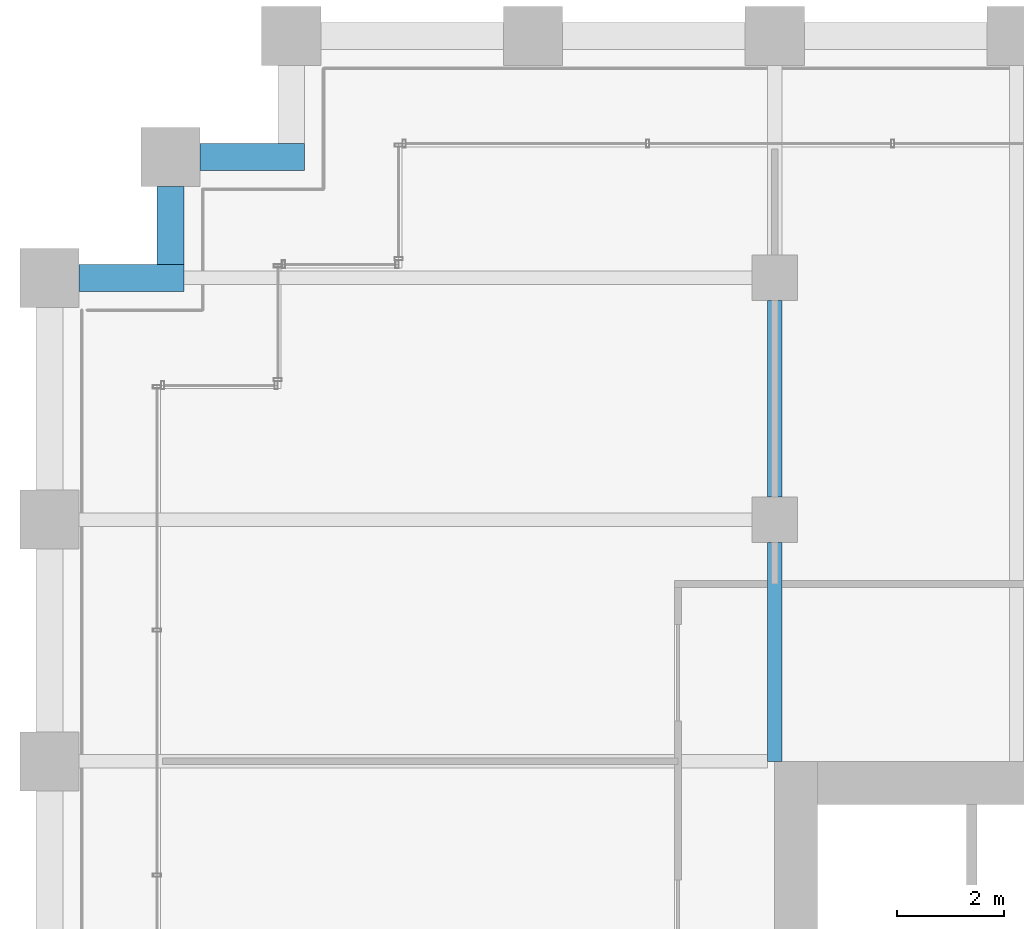
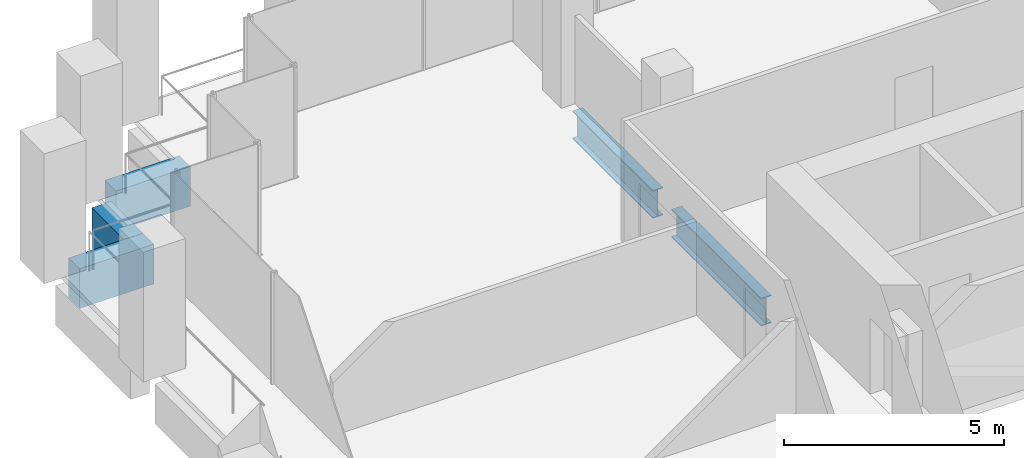
# One storey, part 25 of 56: 5 beams.
"""IFC4 building model written with IfcOpenShell, lengths in metres."""

from ifc_helpers import new_model, si_unit, direction, frame, origin, origin_2d, place, context, subcontext, project, spatial, rectangle, i_section, extrude, material, material_profile, profile_set, type_object, element, save


model = new_model("IFC4")

# Units and contexts
model_context = context("Model", 3, precision=1e-05, world=origin(), true_north=direction((0.0, 1.0)))
body_context = subcontext(model_context, "Body", "Model", "MODEL_VIEW")
ifc_project = project(units=[si_unit("LENGTHUNIT", "METRE"), si_unit("AREAUNIT", "SQUARE_METRE"), si_unit("VOLUMEUNIT", "CUBIC_METRE"), si_unit("PLANEANGLEUNIT", "RADIAN"), si_unit("MASSUNIT", "GRAM", prefix="KILO")], contexts=[model_context])

# Site, building, storey
site_placement = place(None, origin())
site = spatial("IfcSite", under=ifc_project, at=site_placement, CompositionType="ELEMENT")
building_placement = place(site_placement, origin())
building = spatial("IfcBuilding", under=site, at=building_placement, Name="Altepetl Exchange Towers", CompositionType="ELEMENT")
storey_placement = place(building_placement, frame((0.0, 0.0, 83.39990234375)))
storey = spatial("IfcBuildingStorey", under=building, at=storey_placement, Name="L20", CompositionType="ELEMENT", Elevation=83.39990234375)

# Beams
ifc_material_1 = material(Name="Steel S355", Category="steel")
ifc_material_profile_1 = material_profile(ifc_material_1, i_section(OverallWidth=0.26806640625, OverallDepth=0.77392578125, WebThickness=0.015380859375, FlangeThickness=0.025390625, at=origin_2d()), Name="W30X132")
ifc_profile_set_1 = profile_set([ifc_material_profile_1], Name="Steel S355")
beam_type_1 = type_object("IfcBeamType", Name="Girder W30X132", PredefinedType="BEAM", material=ifc_profile_set_1)
beam_1_placement = place(storey_placement, frame((40.5, 67.074951171875, -0.536865234375), z_axis=(0.0, -1.0, 0.0), x_axis=(1.0, 0.0, 0.0)))
element("IfcBeam", 1, at=beam_1_placement, inside=storey, type_object=beam_type_1, Name="gd:A:L20:004", PredefinedType="BEAM", context=body_context, shape_type="SweptSolid", body=[
    extrude(i_section(OverallWidth=0.26806640625, OverallDepth=0.77392578125, WebThickness=0.015380859375, FlangeThickness=0.025390625, at=origin_2d()), origin(), (0.0, 0.0, 1.0), 3.64990234375),
])
beam_2_placement = place(storey_placement, frame((40.5, 62.574951171875, -0.536865234375), z_axis=(0.0, -1.0, 0.0), x_axis=(1.0, 0.0, 0.0)))
element("IfcBeam", 2, at=beam_2_placement, inside=storey, type_object=beam_type_1, Name="gd:A:L20:005", PredefinedType="BEAM", context=body_context, shape_type="SweptSolid", body=[
    extrude(i_section(OverallWidth=0.26806640625, OverallDepth=0.77392578125, WebThickness=0.015380859375, FlangeThickness=0.025390625, at=origin_2d()), origin(), (0.0, 0.0, 1.0), 4.074951171875),
])
ifc_material_2 = material(Name="Concrete C50/60 precast with tezontle facing", Category="concrete")
ifc_material_profile_2 = material_profile(ifc_material_2, rectangle(XDim=0.5, YDim=1.10009765625, at=origin_2d()), Name="500 x 1100")
ifc_profile_set_2 = profile_set([ifc_material_profile_2], Name="Concrete C50/60 precast with tezontle facing")
beam_type_2 = type_object("IfcBeamType", Name="Spandrel beam 500x1100 tezontle", PredefinedType="SPANDREL", material=ifc_profile_set_2)
beam_3_placement = place(storey_placement, frame((31.75, 69.75, -0.699951171875), z_axis=(-1.0, 0.0, 0.0), x_axis=(0.0, -1.0, 0.0)))
element("IfcBeam", 3, at=beam_3_placement, inside=storey, type_object=beam_type_2, Name="sp:A:L20:033", PredefinedType="SPANDREL", context=body_context, shape_type="SweptSolid", body=[
    extrude(rectangle(XDim=0.5, YDim=1.10009765625, at=origin_2d()), origin(), (0.0, 0.0, 1.0), 1.949951171875),
])
beam_4_placement = place(storey_placement, frame((29.25, 69.199951171875, -0.699951171875), z_axis=(0.0, -1.0, 0.0), x_axis=(1.0, 0.0, 0.0)))
element("IfcBeam", 4, at=beam_4_placement, inside=storey, type_object=beam_type_2, Name="sp:A:L20:034", PredefinedType="SPANDREL", context=body_context, shape_type="SweptSolid", body=[
    extrude(rectangle(XDim=0.5, YDim=1.10009765625, at=origin_2d()), origin(), (0.0, 0.0, 1.0), 1.449951171875),
])
beam_5_placement = place(storey_placement, frame((29.5, 67.5, -0.699951171875), z_axis=(-1.0, 0.0, 0.0), x_axis=(0.0, -1.0, 0.0)))
element("IfcBeam", 5, at=beam_5_placement, inside=storey, type_object=beam_type_2, Name="sp:A:L20:035", PredefinedType="SPANDREL", context=body_context, shape_type="SweptSolid", body=[
    extrude(rectangle(XDim=0.5, YDim=1.10009765625, at=origin_2d()), origin(), (0.0, 0.0, 1.0), 1.949951171875),
])

save(model, "model.ifc")
